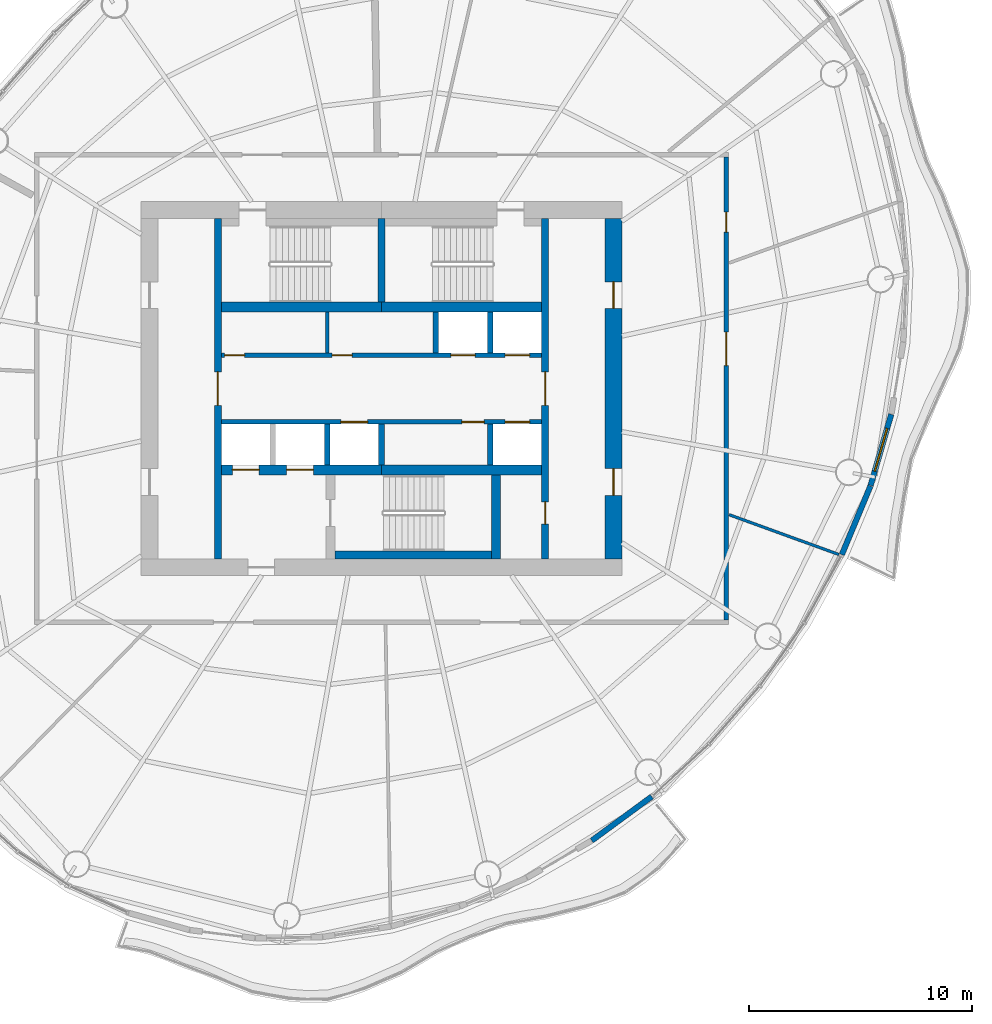
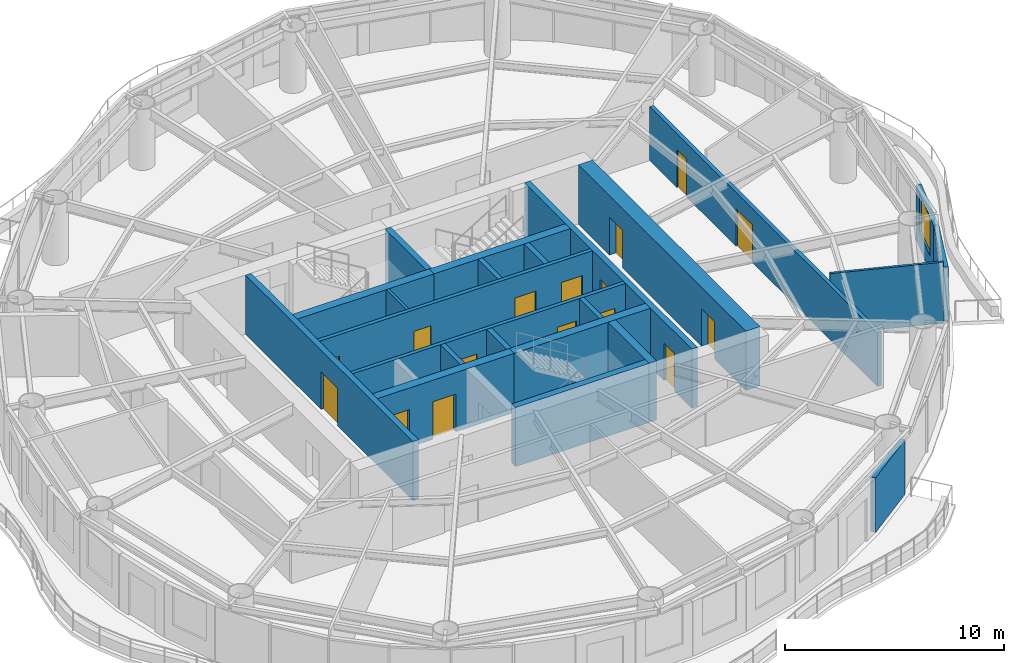
# One storey, part 9 of 14: 23 walls, 16 doors, 1 window, 17 openings.
"""IFC4 building model written with IfcOpenShell, lengths in metres."""

from ifc_helpers import new_model, si_unit, direction, frame, frame_2d, origin, place, context, subcontext, project, spatial, rectangle, extrude, material, layer, layer_set, type_object, element, fill, save


model = new_model("IFC4")

# Units and contexts
model_context = context("Model", 3, precision=1e-05, world=origin(), true_north=direction((0.0, 1.0)))
body_context = subcontext(model_context, "Body", "Model", "MODEL_VIEW")
ifc_project = project(units=[si_unit("LENGTHUNIT", "METRE"), si_unit("AREAUNIT", "SQUARE_METRE"), si_unit("VOLUMEUNIT", "CUBIC_METRE"), si_unit("PLANEANGLEUNIT", "RADIAN"), si_unit("MASSUNIT", "GRAM", prefix="KILO")], contexts=[model_context])

# Site, building, storey
site_placement = place(None, origin())
site = spatial("IfcSite", under=ifc_project, at=site_placement, CompositionType="ELEMENT")
building_placement = place(site_placement, origin())
building = spatial("IfcBuilding", under=site, at=building_placement, Name="Vermilion Reach Broadcast Tower", CompositionType="ELEMENT")
storey_placement = place(building_placement, frame((0.0, 0.0, 238.89990234375)))
storey = spatial("IfcBuildingStorey", under=building, at=storey_placement, Name="L59", CompositionType="ELEMENT", Elevation=238.89990234375)

# Wall, opening, door
ifc_material_1 = material(Name="Concrete C60", Category="concrete")
ifc_layer_1 = layer(ifc_material_1, 0.300048828125)
ifc_layer_set_1 = layer_set([ifc_layer_1], Name="Core inner wall 300 mm Concrete C60")
wall_type_1 = type_object("IfcWallType", Name="Core inner wall 300 mm Concrete C60", PredefinedType="SHEAR", material=ifc_layer_set_1)
wall_1_placement = place(storey_placement, frame((-13.35009765625, 7.64990234375, 0.0), z_axis=(0.0, 0.0, 1.0), x_axis=(0.0, -1.0, 0.0)))
wall_1 = element("IfcWall", 1, at=wall_1_placement, inside=storey, type_object=wall_type_1, Name="L59 core wall ewW", PredefinedType="SHEAR", context=body_context, shape_type="SweptSolid", body=[
    extrude(rectangle(XDim=15.2998046875, YDim=0.300048828125, at=frame_2d((7.64990234375, 0.0))), origin(), (0.0, 0.0, 1.0), 3.300048828125),
])
opening_1_placement = place(wall_1_placement, frame((6.89990234375, 0.0, 0.0)))
opening_1 = element("IfcOpeningElement", 2, at=opening_1_placement, cuts=wall_1, Name="Opening D04", PredefinedType="OPENING", context=body_context, shape_type="SweptSolid", body=[
    extrude(rectangle(XDim=1.5, YDim=2.10009765625, at=frame_2d((0.75, 1.050048828125))), frame((0.0, 0.159912109375, 0.0), z_axis=(0.0, -1.0, 0.0), x_axis=(1.0, 0.0, 0.0)), (0.0, 0.0, 1.0), 0.320068359375),
])
ifc_material_2 = material(Name="Painted steel fire door", Category="steel")
door_type_1 = type_object("IfcDoorType", Name="Lift lobby door 1500 x 2100", OperationType="DOUBLE_DOOR_SINGLE_SWING", PredefinedType="NOTDEFINED", material=ifc_material_2)
door_1_placement = place(opening_1_placement, origin())
door_1 = element("IfcDoor", 3, at=door_1_placement, inside=storey, type_object=door_type_1, Name="L59 band door BW", OperationType="DOUBLE_DOOR_SINGLE_SWING", OverallHeight=2.10009765625, OverallWidth=1.5, PredefinedType="NOTDEFINED", context=body_context, shape_type="SweptSolid", body=[
    extrude(rectangle(XDim=1.5, YDim=2.10009765625, at=frame_2d((0.75, 1.050048828125))), frame((0.0, 0.02490234375, 0.0), z_axis=(0.0, -1.0, 0.0), x_axis=(1.0, 0.0, 0.0)), (0.0, 0.0, 1.0), 0.050048828125),
])
fill(opening_1, door_1)

# Wall, openings, doors
wall_2_placement = place(storey_placement, frame((1.35009765625, -7.64990234375, 0.0), z_axis=(0.0, 0.0, 1.0), x_axis=(0.0, 1.0, 0.0)))
wall_2 = element("IfcWall", 4, at=wall_2_placement, inside=storey, type_object=wall_type_1, Name="L59 core wall ewE", PredefinedType="SHEAR", context=body_context, shape_type="SweptSolid", body=[
    extrude(rectangle(XDim=15.2998046875, YDim=0.300048828125, at=frame_2d((7.64990234375, 0.0))), origin(), (0.0, 0.0, 1.0), 3.300048828125),
])
opening_2_placement = place(wall_2_placement, frame((1.56005859375, 0.0, 0.0)))
opening_2 = element("IfcOpeningElement", 5, at=opening_2_placement, cuts=wall_2, Name="Opening D05", PredefinedType="OPENING", context=body_context, shape_type="SweptSolid", body=[
    extrude(rectangle(XDim=1.0, YDim=2.10009765625, at=frame_2d((0.5, 1.050048828125))), frame((0.0, 0.159912109375, 0.0), z_axis=(0.0, -1.0, 0.0), x_axis=(1.0, 0.0, 0.0)), (0.0, 0.0, 1.0), 0.320068359375),
])
opening_3_placement = place(wall_2_placement, frame((6.89990234375, 0.0, 0.0)))
opening_3 = element("IfcOpeningElement", 6, at=opening_3_placement, cuts=wall_2, Name="Opening D04", PredefinedType="OPENING", context=body_context, shape_type="SweptSolid", body=[
    extrude(rectangle(XDim=1.5, YDim=2.10009765625, at=frame_2d((0.75, 1.050048828125))), frame((0.0, 0.159912109375, 0.0), z_axis=(0.0, -1.0, 0.0), x_axis=(1.0, 0.0, 0.0)), (0.0, 0.0, 1.0), 0.320068359375),
])
door_2_placement = place(opening_3_placement, origin())
door_2 = element("IfcDoor", 7, at=door_2_placement, inside=storey, type_object=door_type_1, Name="L59 band door BE", OperationType="DOUBLE_DOOR_SINGLE_SWING", OverallHeight=2.10009765625, OverallWidth=1.5, PredefinedType="NOTDEFINED", context=body_context, shape_type="SweptSolid", body=[
    extrude(rectangle(XDim=1.5, YDim=2.10009765625, at=frame_2d((0.75, 1.050048828125))), frame((0.0, 0.02490234375, 0.0), z_axis=(0.0, -1.0, 0.0), x_axis=(1.0, 0.0, 0.0)), (0.0, 0.0, 1.0), 0.050048828125),
])
fill(opening_3, door_2)
ifc_material_3 = material(Name="Timber door", Category="wood")
door_type_2 = type_object("IfcDoorType", Name="Room door 1000 x 2100", OperationType="NOTDEFINED", PredefinedType="NOTDEFINED", material=ifc_material_3)
door_3_placement = place(opening_2_placement, origin())
door_3 = element("IfcDoor", 8, at=door_3_placement, inside=storey, type_object=door_type_2, Name="L59 door SER", OperationType="SINGLE_SWING_LEFT", OverallHeight=2.10009765625, OverallWidth=1.0, PredefinedType="NOTDEFINED", context=body_context, shape_type="SweptSolid", body=[
    extrude(rectangle(XDim=1.0, YDim=2.10009765625, at=frame_2d((0.5, 1.050048828125))), frame((0.0, 0.02490234375, 0.0), z_axis=(0.0, -1.0, 0.0), x_axis=(1.0, 0.0, 0.0)), (0.0, 0.0, 1.0), 0.050048828125),
])
fill(opening_2, door_3)

# Walls
wall_3_placement = place(storey_placement, frame((-6.0, 3.8798828125, 0.0), z_axis=(0.0, 0.0, 1.0), x_axis=(0.0, 1.0, 0.0)))
element("IfcWall", 9, at=wall_3_placement, inside=storey, type_object=wall_type_1, Name="L59 core wall wc", PredefinedType="SHEAR", context=body_context, shape_type="SweptSolid", body=[
    extrude(rectangle(XDim=3.77001953125, YDim=0.300048828125, at=frame_2d((1.885009765625, 0.0))), origin(), (0.0, 0.0, 1.0), 3.300048828125),
])
ifc_material_4 = material(Name="Concrete C60", Category="concrete")
ifc_layer_2 = layer(ifc_material_4, 0.39990234375)
ifc_layer_set_2 = layer_set([ifc_layer_2], Name="Core inner wall 400 mm Concrete C60")
wall_type_2 = type_object("IfcWallType", Name="Core inner wall 400 mm Concrete C60", PredefinedType="SHEAR", material=ifc_layer_set_2)
wall_4_placement = place(storey_placement, frame((-0.85009765625, -3.8798828125, 0.0), z_axis=(0.0, 0.0, 1.0), x_axis=(0.0, -1.0, 0.0)))
element("IfcWall", 10, at=wall_4_placement, inside=storey, type_object=wall_type_2, Name="L59 core wall wb", PredefinedType="SHEAR", context=body_context, shape_type="SweptSolid", body=[
    extrude(rectangle(XDim=3.77001953125, YDim=0.39990234375, at=frame_2d((1.885009765625, 0.0))), origin(), (0.0, 0.0, 1.0), 3.300048828125),
])
ifc_material_5 = material(Name="Concrete C60", Category="concrete")
ifc_layer_3 = layer(ifc_material_5, 0.449951171875)
ifc_layer_set_3 = layer_set([ifc_layer_3], Name="Core inner wall 450 mm Concrete C60")
wall_type_3 = type_object("IfcWallType", Name="Core inner wall 450 mm Concrete C60", PredefinedType="SHEAR", material=ifc_layer_set_3)
for number, where, z_axis, x_axis, name in (
    (11, (-13.199951171875, 3.655029296875, 0.0), (0.0, 0.0, 1.0), (1.0, 0.0, 0.0), "L59 core wall winW"),
    (12, (-6.0, 3.655029296875, 0.0), (0.0, 0.0, 1.0), (1.0, 0.0, 0.0), "L59 core wall winE"),
):
    element("IfcWall", number, at=place(storey_placement, frame(where, z_axis=z_axis, x_axis=x_axis)), inside=storey, type_object=wall_type_3, Name=name, PredefinedType="SHEAR", context=body_context, shape_type="SweptSolid", body=[
        extrude(rectangle(XDim=7.199951171875, YDim=0.449951171875, at=frame_2d((3.60009765625, 0.0))), origin(), (0.0, 0.0, 1.0), 3.300048828125),
    ])

# Wall, openings, doors
wall_5_placement = place(storey_placement, frame((-13.199951171875, -3.655029296875, 0.0), z_axis=(0.0, 0.0, 1.0), x_axis=(1.0, 0.0, 0.0)))
wall_5 = element("IfcWall", 13, at=wall_5_placement, inside=storey, type_object=wall_type_3, Name="L59 core wall wisW", PredefinedType="SHEAR", context=body_context, shape_type="SweptSolid", body=[
    extrude(rectangle(XDim=7.199951171875, YDim=0.449951171875, at=frame_2d((3.60009765625, 0.0))), origin(), (0.0, 0.0, 1.0), 3.300048828125),
])
opening_4_placement = place(wall_5_placement, frame((0.495849609375, 0.0, 0.0)))
opening_4 = element("IfcOpeningElement", 14, at=opening_4_placement, cuts=wall_5, Name="Opening LD1", PredefinedType="OPENING", context=body_context, shape_type="SweptSolid", body=[
    extrude(rectangle(XDim=1.199951171875, YDim=2.10009765625, at=frame_2d((0.60009765625, 1.050048828125))), frame((0.0, 0.23486328125, 0.0), z_axis=(0.0, -1.0, 0.0), x_axis=(1.0, 0.0, 0.0)), (0.0, 0.0, 1.0), 0.469970703125),
])
opening_5_placement = place(wall_5_placement, frame((2.9375, 0.0, 0.0)))
opening_5 = element("IfcOpeningElement", 15, at=opening_5_placement, cuts=wall_5, Name="Opening LD1", PredefinedType="OPENING", context=body_context, shape_type="SweptSolid", body=[
    extrude(rectangle(XDim=1.199951171875, YDim=2.10009765625, at=frame_2d((0.60009765625, 1.050048828125))), frame((0.0, 0.23486328125, 0.0), z_axis=(0.0, -1.0, 0.0), x_axis=(1.0, 0.0, 0.0)), (0.0, 0.0, 1.0), 0.469970703125),
])
ifc_material_6 = material(Name="Stainless steel", Category="steel")
door_type_3 = type_object("IfcDoorType", Name="Landing door 1200 x 2100", OperationType="DOUBLE_DOOR_SLIDING", PredefinedType="NOTDEFINED", material=ifc_material_6)
door_4_placement = place(opening_4_placement, origin())
door_4 = element("IfcDoor", 16, at=door_4_placement, inside=storey, type_object=door_type_3, Name="L59 landing door FF1", OperationType="DOUBLE_DOOR_SLIDING", OverallHeight=2.10009765625, OverallWidth=1.199951171875, PredefinedType="NOTDEFINED", context=body_context, shape_type="SweptSolid", body=[
    extrude(rectangle(XDim=1.199951171875, YDim=2.10009765625, at=frame_2d((0.60009765625, 1.050048828125))), frame((0.0, 0.02490234375, 0.0), z_axis=(0.0, -1.0, 0.0), x_axis=(1.0, 0.0, 0.0)), (0.0, 0.0, 1.0), 0.050048828125),
])
fill(opening_4, door_4)
door_5_placement = place(opening_5_placement, origin())
door_5 = element("IfcDoor", 17, at=door_5_placement, inside=storey, type_object=door_type_3, Name="L59 landing door FF2", OperationType="DOUBLE_DOOR_SLIDING", OverallHeight=2.10009765625, OverallWidth=1.199951171875, PredefinedType="NOTDEFINED", context=body_context, shape_type="SweptSolid", body=[
    extrude(rectangle(XDim=1.199951171875, YDim=2.10009765625, at=frame_2d((0.60009765625, 1.050048828125))), frame((0.0, 0.02490234375, 0.0), z_axis=(0.0, -1.0, 0.0), x_axis=(1.0, 0.0, 0.0)), (0.0, 0.0, 1.0), 0.050048828125),
])
fill(opening_5, door_5)

# Wall
wall_6_placement = place(storey_placement, frame((-6.0, -3.655029296875, 0.0), z_axis=(0.0, 0.0, 1.0), x_axis=(1.0, 0.0, 0.0)))
element("IfcWall", 18, at=wall_6_placement, inside=storey, type_object=wall_type_3, Name="L59 core wall wisE", PredefinedType="SHEAR", context=body_context, shape_type="SweptSolid", body=[
    extrude(rectangle(XDim=7.199951171875, YDim=0.449951171875, at=frame_2d((3.60009765625, 0.0))), origin(), (0.0, 0.0, 1.0), 3.300048828125),
])

# Wall, openings, doors
ifc_material_7 = material(Name="Concrete C60", Category="concrete")
ifc_layer_4 = layer(ifc_material_7, 0.75)
ifc_layer_set_4 = layer_set([ifc_layer_4], Name="Core outer wall 750 mm Concrete C60")
wall_type_4 = type_object("IfcWallType", Name="Core outer wall 750 mm Concrete C60", PredefinedType="SHEAR", material=ifc_layer_set_4)
wall_7_placement = place(storey_placement, frame((4.425048828125, -7.64990234375, 0.0), z_axis=(0.0, 0.0, 1.0), x_axis=(0.0, 1.0, 0.0)))
wall_7 = element("IfcWall", 19, at=wall_7_placement, inside=storey, type_object=wall_type_4, Name="L59 core wall oe", PredefinedType="SHEAR", context=body_context, shape_type="SweptSolid", body=[
    extrude(rectangle(XDim=15.2998046875, YDim=0.75, at=frame_2d((7.64990234375, 0.0))), origin(), (0.0, 0.0, 1.0), 3.300048828125),
])
opening_6_placement = place(wall_7_placement, frame((2.85009765625, 0.0, 0.0)))
opening_6 = element("IfcOpeningElement", 20, at=opening_6_placement, cuts=wall_7, Name="Opening D03", PredefinedType="OPENING", context=body_context, shape_type="SweptSolid", body=[
    extrude(rectangle(XDim=1.199951171875, YDim=2.10009765625, at=frame_2d((0.60009765625, 1.050048828125))), frame((0.0, 0.385009765625, 0.0), z_axis=(0.0, -1.0, 0.0), x_axis=(1.0, 0.0, 0.0)), (0.0, 0.0, 1.0), 0.77001953125),
])
opening_7_placement = place(wall_7_placement, frame((11.25, 0.0, 0.0)))
opening_7 = element("IfcOpeningElement", 21, at=opening_7_placement, cuts=wall_7, Name="Opening D03", PredefinedType="OPENING", context=body_context, shape_type="SweptSolid", body=[
    extrude(rectangle(XDim=1.199951171875, YDim=2.10009765625, at=frame_2d((0.60009765625, 1.050048828125))), frame((0.0, 0.385009765625, 0.0), z_axis=(0.0, -1.0, 0.0), x_axis=(1.0, 0.0, 0.0)), (0.0, 0.0, 1.0), 0.77001953125),
])
ifc_material_8 = material(Name="Painted steel fire door", Category="steel")
door_type_4 = type_object("IfcDoorType", Name="Core lobby door 1200 x 2100", OperationType="DOUBLE_DOOR_SINGLE_SWING", PredefinedType="NOTDEFINED", material=ifc_material_8)
door_6_placement = place(opening_6_placement, origin())
door_6 = element("IfcDoor", 22, at=door_6_placement, inside=storey, type_object=door_type_4, Name="L59 slot door E0", OperationType="DOUBLE_DOOR_SINGLE_SWING", OverallHeight=2.10009765625, OverallWidth=1.199951171875, PredefinedType="NOTDEFINED", context=body_context, shape_type="SweptSolid", body=[
    extrude(rectangle(XDim=1.199951171875, YDim=2.10009765625, at=frame_2d((0.60009765625, 1.050048828125))), frame((0.0, 0.02490234375, 0.0), z_axis=(0.0, -1.0, 0.0), x_axis=(1.0, 0.0, 0.0)), (0.0, 0.0, 1.0), 0.050048828125),
])
fill(opening_6, door_6)
door_7_placement = place(opening_7_placement, origin())
door_7 = element("IfcDoor", 23, at=door_7_placement, inside=storey, type_object=door_type_4, Name="L59 slot door E1", OperationType="DOUBLE_DOOR_SINGLE_SWING", OverallHeight=2.10009765625, OverallWidth=1.199951171875, PredefinedType="NOTDEFINED", context=body_context, shape_type="SweptSolid", body=[
    extrude(rectangle(XDim=1.199951171875, YDim=2.10009765625, at=frame_2d((0.60009765625, 1.050048828125))), frame((0.0, 0.02490234375, 0.0), z_axis=(0.0, -1.0, 0.0), x_axis=(1.0, 0.0, 0.0)), (0.0, 0.0, 1.0), 0.050048828125),
])
fill(opening_7, door_7)

# Wall
ifc_material_9 = material(Name="Masonry block", Category="masonry")
ifc_layer_5 = layer(ifc_material_9, 0.14990234375)
ifc_layer_set_5 = layer_set([ifc_layer_5], Name="Core partition wall 150 mm Masonry block")
wall_type_5 = type_object("IfcWallType", Name="Core partition wall 150 mm Masonry block", PredefinedType="PARTITIONING", material=ifc_layer_set_5)
wall_8_placement = place(storey_placement, frame((-8.441650390625, 1.60009765625, 0.0), z_axis=(0.0, 0.0, 1.0), x_axis=(0.0, 1.0, 0.0)))
element("IfcWall", 24, at=wall_8_placement, inside=storey, type_object=wall_type_5, Name="L59 core wall prN-2442", PredefinedType="PARTITIONING", context=body_context, shape_type="SweptSolid", body=[
    extrude(rectangle(XDim=1.829833984375, YDim=0.14990234375, at=frame_2d((0.9150390625, 0.0))), origin(), (0.0, 0.0, 1.0), 3.300048828125),
])

# Wall, openings, doors
ifc_material_10 = material(Name="Concrete C50", Category="concrete")
ifc_layer_6 = layer(ifc_material_10, 0.199951171875)
ifc_layer_set_6 = layer_set([ifc_layer_6], Name="Core shaft wall 200 mm Concrete C50")
wall_type_6 = type_object("IfcWallType", Name="Core shaft wall 200 mm Concrete C50", PredefinedType="SHEAR", material=ifc_layer_set_6)
wall_9_placement = place(storey_placement, frame((-13.199951171875, 1.5, 0.0), z_axis=(0.0, 0.0, 1.0), x_axis=(1.0, 0.0, 0.0)))
wall_9 = element("IfcWall", 25, at=wall_9_placement, inside=storey, type_object=wall_type_6, Name="L59 core wall fn", PredefinedType="SHEAR", context=body_context, shape_type="SweptSolid", body=[
    extrude(rectangle(XDim=14.39990234375, YDim=0.199951171875, at=frame_2d((7.199951171875, 0.0))), origin(), (0.0, 0.0, 1.0), 3.300048828125),
])
opening_8_placement = place(wall_9_placement, frame((10.3125, 0.0, 0.0)))
opening_8 = element("IfcOpeningElement", 26, at=opening_8_placement, cuts=wall_9, Name="Opening LD2", PredefinedType="OPENING", context=body_context, shape_type="SweptSolid", body=[
    extrude(rectangle(XDim=1.10009765625, YDim=2.10009765625, at=frame_2d((0.550048828125, 1.050048828125))), frame((0.0, 0.10986328125, 0.0), z_axis=(0.0, -1.0, 0.0), x_axis=(1.0, 0.0, 0.0)), (0.0, 0.0, 1.0), 0.219970703125),
])
opening_9_placement = place(wall_9_placement, frame((12.754150390625, 0.0, 0.0)))
opening_9 = element("IfcOpeningElement", 27, at=opening_9_placement, cuts=wall_9, Name="Opening LD2", PredefinedType="OPENING", context=body_context, shape_type="SweptSolid", body=[
    extrude(rectangle(XDim=1.10009765625, YDim=2.10009765625, at=frame_2d((0.550048828125, 1.050048828125))), frame((0.0, 0.10986328125, 0.0), z_axis=(0.0, -1.0, 0.0), x_axis=(1.0, 0.0, 0.0)), (0.0, 0.0, 1.0), 0.219970703125),
])
opening_10_placement = place(wall_9_placement, frame((0.14990234375, 0.0, 0.0)))
opening_10 = element("IfcOpeningElement", 28, at=opening_10_placement, cuts=wall_9, Name="Opening D06", PredefinedType="OPENING", context=body_context, shape_type="SweptSolid", body=[
    extrude(rectangle(XDim=0.89990234375, YDim=2.10009765625, at=frame_2d((0.449951171875, 1.050048828125))), frame((0.0, 0.10986328125, 0.0), z_axis=(0.0, -1.0, 0.0), x_axis=(1.0, 0.0, 0.0)), (0.0, 0.0, 1.0), 0.219970703125),
])
opening_11_placement = place(wall_9_placement, frame((4.9833984375, 0.0, 0.0)))
opening_11 = element("IfcOpeningElement", 29, at=opening_11_placement, cuts=wall_9, Name="Opening D06", PredefinedType="OPENING", context=body_context, shape_type="SweptSolid", body=[
    extrude(rectangle(XDim=0.89990234375, YDim=2.10009765625, at=frame_2d((0.449951171875, 1.050048828125))), frame((0.0, 0.10986328125, 0.0), z_axis=(0.0, -1.0, 0.0), x_axis=(1.0, 0.0, 0.0)), (0.0, 0.0, 1.0), 0.219970703125),
])
ifc_material_11 = material(Name="Stainless steel", Category="steel")
door_type_5 = type_object("IfcDoorType", Name="Landing door 1100 x 2100", OperationType="DOUBLE_DOOR_SLIDING", PredefinedType="NOTDEFINED", material=ifc_material_11)
door_8_placement = place(opening_8_placement, origin())
door_8 = element("IfcDoor", 30, at=door_8_placement, inside=storey, type_object=door_type_5, Name="L59 landing door HR1", OperationType="DOUBLE_DOOR_SLIDING", OverallHeight=2.10009765625, OverallWidth=1.10009765625, PredefinedType="NOTDEFINED", context=body_context, shape_type="SweptSolid", body=[
    extrude(rectangle(XDim=1.10009765625, YDim=2.10009765625, at=frame_2d((0.550048828125, 1.050048828125))), frame((0.0, 0.02490234375, 0.0), z_axis=(0.0, -1.0, 0.0), x_axis=(1.0, 0.0, 0.0)), (0.0, 0.0, 1.0), 0.050048828125),
])
fill(opening_8, door_8)
door_9_placement = place(opening_9_placement, origin())
door_9 = element("IfcDoor", 31, at=door_9_placement, inside=storey, type_object=door_type_5, Name="L59 landing door HR2", OperationType="DOUBLE_DOOR_SLIDING", OverallHeight=2.10009765625, OverallWidth=1.10009765625, PredefinedType="NOTDEFINED", context=body_context, shape_type="SweptSolid", body=[
    extrude(rectangle(XDim=1.10009765625, YDim=2.10009765625, at=frame_2d((0.550048828125, 1.050048828125))), frame((0.0, 0.02490234375, 0.0), z_axis=(0.0, -1.0, 0.0), x_axis=(1.0, 0.0, 0.0)), (0.0, 0.0, 1.0), 0.050048828125),
])
fill(opening_9, door_9)
ifc_material_12 = material(Name="Timber door", Category="wood")
door_type_6 = type_object("IfcDoorType", Name="WC door 900 x 2100", OperationType="NOTDEFINED", PredefinedType="NOTDEFINED", material=ifc_material_12)
door_10_placement = place(opening_10_placement, origin())
door_10 = element("IfcDoor", 32, at=door_10_placement, inside=storey, type_object=door_type_6, Name="L59 door Female WC", OperationType="SINGLE_SWING_LEFT", OverallHeight=2.10009765625, OverallWidth=0.89990234375, PredefinedType="NOTDEFINED", context=body_context, shape_type="SweptSolid", body=[
    extrude(rectangle(XDim=0.89990234375, YDim=2.10009765625, at=frame_2d((0.449951171875, 1.050048828125))), frame((0.0, 0.02490234375, 0.0), z_axis=(0.0, -1.0, 0.0), x_axis=(1.0, 0.0, 0.0)), (0.0, 0.0, 1.0), 0.050048828125),
])
fill(opening_10, door_10)
door_11_placement = place(opening_11_placement, origin())
door_11 = element("IfcDoor", 33, at=door_11_placement, inside=storey, type_object=door_type_6, Name="L59 door Male WC", OperationType="SINGLE_SWING_LEFT", OverallHeight=2.10009765625, OverallWidth=0.89990234375, PredefinedType="NOTDEFINED", context=body_context, shape_type="SweptSolid", body=[
    extrude(rectangle(XDim=0.89990234375, YDim=2.10009765625, at=frame_2d((0.449951171875, 1.050048828125))), frame((0.0, 0.02490234375, 0.0), z_axis=(0.0, -1.0, 0.0), x_axis=(1.0, 0.0, 0.0)), (0.0, 0.0, 1.0), 0.050048828125),
])
fill(opening_11, door_11)

wall_10_placement = place(storey_placement, frame((1.199951171875, -1.5, 0.0), z_axis=(0.0, 0.0, 1.0), x_axis=(-1.0, 0.0, 0.0)))
wall_10 = element("IfcWall", 34, at=wall_10_placement, inside=storey, type_object=wall_type_6, Name="L59 core wall fs", PredefinedType="SHEAR", context=body_context, shape_type="SweptSolid", body=[
    extrude(rectangle(XDim=14.39990234375, YDim=0.199951171875, at=frame_2d((7.199951171875, 0.0))), origin(), (0.0, 0.0, 1.0), 3.300048828125),
])
opening_12_placement = place(wall_10_placement, frame((7.82080078125, 0.0, 0.0)))
opening_12 = element("IfcOpeningElement", 35, at=opening_12_placement, cuts=wall_10, Name="Opening LD1", PredefinedType="OPENING", context=body_context, shape_type="SweptSolid", body=[
    extrude(rectangle(XDim=1.199951171875, YDim=2.10009765625, at=frame_2d((0.60009765625, 1.050048828125))), frame((0.0, 0.10986328125, 0.0), z_axis=(0.0, -1.0, 0.0), x_axis=(1.0, 0.0, 0.0)), (0.0, 0.0, 1.0), 0.219970703125),
])
opening_13_placement = place(wall_10_placement, frame((0.5458984375, 0.0, 0.0)))
opening_13 = element("IfcOpeningElement", 36, at=opening_13_placement, cuts=wall_10, Name="Opening LD2", PredefinedType="OPENING", context=body_context, shape_type="SweptSolid", body=[
    extrude(rectangle(XDim=1.10009765625, YDim=2.10009765625, at=frame_2d((0.550048828125, 1.050048828125))), frame((0.0, 0.10986328125, 0.0), z_axis=(0.0, -1.0, 0.0), x_axis=(1.0, 0.0, 0.0)), (0.0, 0.0, 1.0), 0.219970703125),
])
opening_14_placement = place(wall_10_placement, frame((2.591552734375, 0.0, 0.0)))
opening_14 = element("IfcOpeningElement", 37, at=opening_14_placement, cuts=wall_10, Name="Opening D07", PredefinedType="OPENING", context=body_context, shape_type="SweptSolid", body=[
    extrude(rectangle(XDim=1.0, YDim=2.10009765625, at=frame_2d((0.5, 1.050048828125))), frame((0.0, 0.10986328125, 0.0), z_axis=(0.0, -1.0, 0.0), x_axis=(1.0, 0.0, 0.0)), (0.0, 0.0, 1.0), 0.219970703125),
])
ifc_material_13 = material(Name="Timber door", Category="wood")
door_type_7 = type_object("IfcDoorType", Name="Accessible WC door 1000 x 2100", OperationType="NOTDEFINED", PredefinedType="NOTDEFINED", material=ifc_material_13)
door_12_placement = place(opening_14_placement, origin())
door_12 = element("IfcDoor", 38, at=door_12_placement, inside=storey, type_object=door_type_7, Name="L59 door Accessible WC", OperationType="SINGLE_SWING_LEFT", OverallHeight=2.10009765625, OverallWidth=1.0, PredefinedType="NOTDEFINED", context=body_context, shape_type="SweptSolid", body=[
    extrude(rectangle(XDim=1.0, YDim=2.10009765625, at=frame_2d((0.5, 1.050048828125))), frame((0.0, 0.02490234375, 0.0), z_axis=(0.0, -1.0, 0.0), x_axis=(1.0, 0.0, 0.0)), (0.0, 0.0, 1.0), 0.050048828125),
])
fill(opening_14, door_12)
door_13_placement = place(opening_13_placement, origin())
door_13 = element("IfcDoor", 39, at=door_13_placement, inside=storey, type_object=door_type_5, Name="L59 landing door HR3", OperationType="DOUBLE_DOOR_SLIDING", OverallHeight=2.10009765625, OverallWidth=1.10009765625, PredefinedType="NOTDEFINED", context=body_context, shape_type="SweptSolid", body=[
    extrude(rectangle(XDim=1.10009765625, YDim=2.10009765625, at=frame_2d((0.550048828125, 1.050048828125))), frame((0.0, 0.02490234375, 0.0), z_axis=(0.0, -1.0, 0.0), x_axis=(1.0, 0.0, 0.0)), (0.0, 0.0, 1.0), 0.050048828125),
])
fill(opening_13, door_13)
door_14_placement = place(opening_12_placement, origin())
door_14 = element("IfcDoor", 40, at=door_14_placement, inside=storey, type_object=door_type_3, Name="L59 landing door SV1", OperationType="DOUBLE_DOOR_SLIDING", OverallHeight=2.10009765625, OverallWidth=1.199951171875, PredefinedType="NOTDEFINED", context=body_context, shape_type="SweptSolid", body=[
    extrude(rectangle(XDim=1.199951171875, YDim=2.10009765625, at=frame_2d((0.60009765625, 1.050048828125))), frame((0.0, 0.02490234375, 0.0), z_axis=(0.0, -1.0, 0.0), x_axis=(1.0, 0.0, 0.0)), (0.0, 0.0, 1.0), 0.050048828125),
])
fill(opening_12, door_14)

# Walls
ifc_material_14 = material(Name="Concrete C50", Category="concrete")
ifc_layer_7 = layer(ifc_material_14, 0.25)
ifc_layer_set_7 = layer_set([ifc_layer_7], Name="Core shaft wall 250 mm Concrete C50")
wall_type_7 = type_object("IfcWallType", Name="Core shaft wall 250 mm Concrete C50", PredefinedType="SHEAR", material=ifc_layer_set_7)
for number, where, z_axis, x_axis, name in (
    (41, (-3.558349609375, 1.60009765625, 0.0), (0.0, 0.0, 1.0), (0.0, 1.0, 0.0), "L59 core wall psN3"),
    (42, (-1.11669921875, 1.60009765625, 0.0), (0.0, 0.0, 1.0), (0.0, 1.0, 0.0), "L59 core wall psN4"),
    (43, (-8.441650390625, -1.60009765625, 0.0), (0.0, 0.0, 1.0), (0.0, -1.0, 0.0), "L59 core wall psS1"),
    (44, (-6.0, -1.60009765625, 0.0), (0.0, 0.0, 1.0), (0.0, -1.0, 0.0), "L59 core wall psS2"),
    (45, (-1.11669921875, -1.60009765625, 0.0), (0.0, 0.0, 1.0), (0.0, -1.0, 0.0), "L59 core wall psS4"),
):
    element("IfcWall", number, at=place(storey_placement, frame(where, z_axis=z_axis, x_axis=x_axis)), inside=storey, type_object=wall_type_7, Name=name, PredefinedType="SHEAR", context=body_context, shape_type="SweptSolid", body=[
        extrude(rectangle(XDim=1.829833984375, YDim=0.25, at=frame_2d((0.9150390625, 0.0))), origin(), (0.0, 0.0, 1.0), 3.300048828125),
    ])
ifc_material_15 = material(Name="Concrete C60", Category="concrete")
ifc_layer_8 = layer(ifc_material_15, 0.35009765625)
ifc_layer_set_8 = layer_set([ifc_layer_8], Name="Core stair wall 350 mm Concrete C60")
wall_type_8 = type_object("IfcWallType", Name="Core stair wall 350 mm Concrete C60", PredefinedType="SHEAR", material=ifc_layer_set_8)
wall_11_placement = place(storey_placement, frame((-8.10009765625, -7.47509765625, 0.0), z_axis=(0.0, 0.0, 1.0), x_axis=(1.0, 0.0, 0.0)))
element("IfcWall", 46, at=wall_11_placement, inside=storey, type_object=wall_type_8, Name="L59 core wall l3", PredefinedType="SHEAR", context=body_context, shape_type="SweptSolid", body=[
    extrude(rectangle(XDim=7.050048828125, YDim=0.35009765625, at=frame_2d((3.52490234375, 0.0))), origin(), (0.0, 0.0, 1.0), 3.300048828125),
])
ifc_material_16 = material(Name="Fire-rated plasterboard on steel stud", Category="steel")
ifc_layer_9 = layer(ifc_material_16, 0.125)
ifc_layer_set_9 = layer_set([ifc_layer_9], Name="Partition 125 fire-rated stud")
wall_type_9 = type_object("IfcWallType", Name="Partition 125 fire-rated stud", PredefinedType="PARTITIONING", material=ifc_layer_set_9)
wall_12_placement = place(storey_placement, frame((14.5537109375, -7.457275390625, 0.0), z_axis=(0.0, 0.0, 1.0), x_axis=(-0.940040430466, 0.341063028031, 0.0)))
element("IfcWall", 47, at=wall_12_placement, inside=storey, type_object=wall_type_9, Name="Partition 59.07", PredefinedType="PARTITIONING", context=body_context, shape_type="SweptSolid", body=[
    extrude(rectangle(XDim=5.2470703125, YDim=0.125, at=frame_2d((2.62353515625, 0.0))), origin(), (0.0, 0.0, 1.0), 3.400146484375),
])
ifc_material_17 = material(Name="Terracotta rainscreen cladding", Category="masonry")
ifc_layer_10 = layer(ifc_material_17, 0.25)
ifc_layer_set_10 = layer_set([ifc_layer_10], Name="Terracotta rainscreen wall 250")
wall_type_10 = type_object("IfcWallType", Name="Terracotta rainscreen wall 250", PredefinedType="SOLIDWALL", material=ifc_layer_set_10)
for number, where, z_axis, x_axis, name in (
    (48, (3.448486328125, -20.314208984375, 0.0), (0.0, 0.0, 1.0), (0.805991358559, 0.591927301219, 0.0), "External wall L59 33"),
    (49, (14.6875, -7.4609375, 0.0), (0.0, 0.0, 1.0), (0.384516815747, 0.923117987263, 0.0), "External wall L59 38"),
):
    element("IfcWall", number, at=place(storey_placement, frame(where, z_axis=z_axis, x_axis=x_axis)), inside=storey, type_object=wall_type_10, Name=name, PredefinedType="SOLIDWALL", context=body_context, shape_type="SweptSolid", body=[
        extrude(rectangle(XDim=3.341552734375, YDim=0.25, at=frame_2d((1.6708984375, 0.0))), origin(), (0.0, 0.0, 1.0), 3.050048828125),
    ])

# Wall, opening, window
wall_13_placement = place(storey_placement, frame((15.979736328125, -4.35546875, 0.0), z_axis=(0.0, 0.0, 1.0), x_axis=(0.278253906266, 0.960507555227, 0.0)))
wall_13 = element("IfcWall", 50, at=wall_13_placement, inside=storey, type_object=wall_type_10, Name="External wall L59 39", PredefinedType="SOLIDWALL", context=body_context, shape_type="SweptSolid", body=[
    extrude(rectangle(XDim=3.329833984375, YDim=0.25, at=frame_2d((1.6650390625, 0.0))), origin(), (0.0, 0.0, 1.0), 3.050048828125),
])
opening_15_placement = place(wall_13_placement, frame((0.664794921875, 0.0, 0.89990234375)))
opening_15 = element("IfcOpeningElement", 51, at=opening_15_placement, cuts=wall_13, Name="Opening W03", PredefinedType="OPENING", context=body_context, shape_type="SweptSolid", body=[
    extrude(rectangle(XDim=2.0, YDim=2.10009765625, at=frame_2d((1.0, 1.050048828125))), frame((0.0, 0.135009765625, 0.0), z_axis=(0.0, -1.0, 0.0), x_axis=(1.0, 0.0, 0.0)), (0.0, 0.0, 1.0), 0.27001953125),
])
ifc_material_18 = material(Name="Low-e laminated clear glass in aluminium frame", Category="aluminium")
window_type = type_object("IfcWindowType", Name="Punched window 2000 x 2100 sill 900", PartitioningType="SINGLE_PANEL", PredefinedType="WINDOW", material=ifc_material_18)
window_placement = place(opening_15_placement, origin())
window = element("IfcWindow", 52, at=window_placement, inside=storey, type_object=window_type, Name="Window L59 39", OverallHeight=2.10009765625, OverallWidth=2.0, PartitioningType="SINGLE_PANEL", PredefinedType="WINDOW", context=body_context, shape_type="SweptSolid", body=[
    extrude(rectangle(XDim=2.0, YDim=2.10009765625, at=frame_2d((1.0, 1.050048828125))), frame((0.0, 0.030029296875, 0.0), z_axis=(0.0, -1.0, 0.0), x_axis=(1.0, 0.0, 0.0)), (0.0, 0.0, 1.0), 0.06005859375),
])
fill(opening_15, window)

# Wall, openings, doors
ifc_material_19 = material(Name="Fire-rated gypsum board partition")
ifc_layer_11 = layer(ifc_material_19, 0.199951171875)
ifc_layer_set_11 = layer_set([ifc_layer_11], Name="Under girder: Corridor wall 200 fire-rated")
wall_type_11 = type_object("IfcWallType", Name="Under girder: Corridor wall 200 fire-rated", PredefinedType="PARTITIONING", material=ifc_layer_set_11)
wall_14_placement = place(storey_placement, frame((9.5, 10.39990234375, 0.0), z_axis=(0.0, 0.0, 1.0), x_axis=(0.0, -1.0, 0.0)))
wall_14 = element("IfcWall", 53, at=wall_14_placement, inside=storey, type_object=wall_type_11, Name="Corridor wall 59.E", PredefinedType="PARTITIONING", context=body_context, shape_type="SweptSolid", body=[
    extrude(rectangle(XDim=20.7998046875, YDim=0.199951171875, at=frame_2d((10.39990234375, 0.0))), origin(), (0.0, 0.0, 1.0), 3.0),
])
opening_16_placement = place(wall_14_placement, frame((7.8671875, 0.0, 0.0)))
opening_16 = element("IfcOpeningElement", 54, at=opening_16_placement, cuts=wall_14, Name="Opening D24", PredefinedType="OPENING", context=body_context, shape_type="SweptSolid", body=[
    extrude(rectangle(XDim=1.5, YDim=2.10009765625, at=frame_2d((0.75, 1.050048828125))), frame((0.0, 0.10986328125, 0.0), z_axis=(0.0, -1.0, 0.0), x_axis=(1.0, 0.0, 0.0)), (0.0, 0.0, 1.0), 0.219970703125),
])
opening_17_placement = place(wall_14_placement, frame((2.47412109375, 0.0, 0.0)))
opening_17 = element("IfcOpeningElement", 55, at=opening_17_placement, cuts=wall_14, Name="Opening D22", PredefinedType="OPENING", context=body_context, shape_type="SweptSolid", body=[
    extrude(rectangle(XDim=0.89990234375, YDim=2.10009765625, at=frame_2d((0.449951171875, 1.050048828125))), frame((0.0, 0.10986328125, 0.0), z_axis=(0.0, -1.0, 0.0), x_axis=(1.0, 0.0, 0.0)), (0.0, 0.0, 1.0), 0.219970703125),
])
ifc_material_20 = material(Name="Timber door leaf", Category="wood")
door_type_8 = type_object("IfcDoorType", Name="Door pair 1500x2100", OperationType="NOTDEFINED", PredefinedType="DOOR", material=ifc_material_20)
door_15_placement = place(opening_16_placement, origin())
door_15 = element("IfcDoor", 56, at=door_15_placement, inside=storey, type_object=door_type_8, Name="Door 59.07", OperationType="DOUBLE_DOOR_SINGLE_SWING", OverallHeight=2.10009765625, OverallWidth=1.5, PredefinedType="DOOR", context=body_context, shape_type="SweptSolid", body=[
    extrude(rectangle(XDim=1.5, YDim=2.10009765625, at=frame_2d((0.75, 1.050048828125))), frame((0.0, 0.02490234375, 0.0), z_axis=(0.0, -1.0, 0.0), x_axis=(1.0, 0.0, 0.0)), (0.0, 0.0, 1.0), 0.050048828125),
])
fill(opening_16, door_15)
ifc_material_21 = material(Name="Timber door leaf", Category="wood")
door_type_9 = type_object("IfcDoorType", Name="Door single 900x2100", OperationType="NOTDEFINED", PredefinedType="DOOR", material=ifc_material_21)
door_16_placement = place(opening_17_placement, origin())
door_16 = element("IfcDoor", 57, at=door_16_placement, inside=storey, type_object=door_type_9, Name="Door 59.08", OperationType="SINGLE_SWING_RIGHT", OverallHeight=2.10009765625, OverallWidth=0.89990234375, PredefinedType="DOOR", context=body_context, shape_type="SweptSolid", body=[
    extrude(rectangle(XDim=0.89990234375, YDim=2.10009765625, at=frame_2d((0.449951171875, 1.050048828125))), frame((0.0, 0.02490234375, 0.0), z_axis=(0.0, -1.0, 0.0), x_axis=(1.0, 0.0, 0.0)), (0.0, 0.0, 1.0), 0.050048828125),
])
fill(opening_17, door_16)

save(model, "model.ifc")
